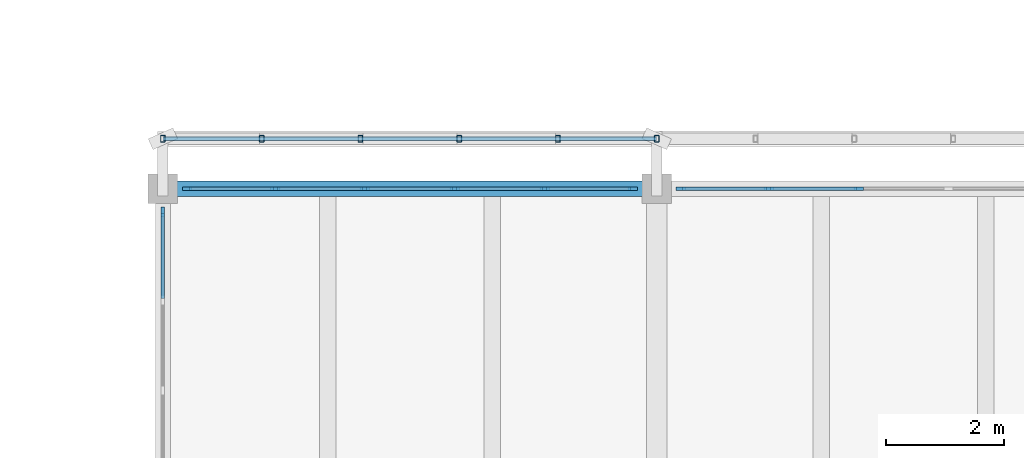
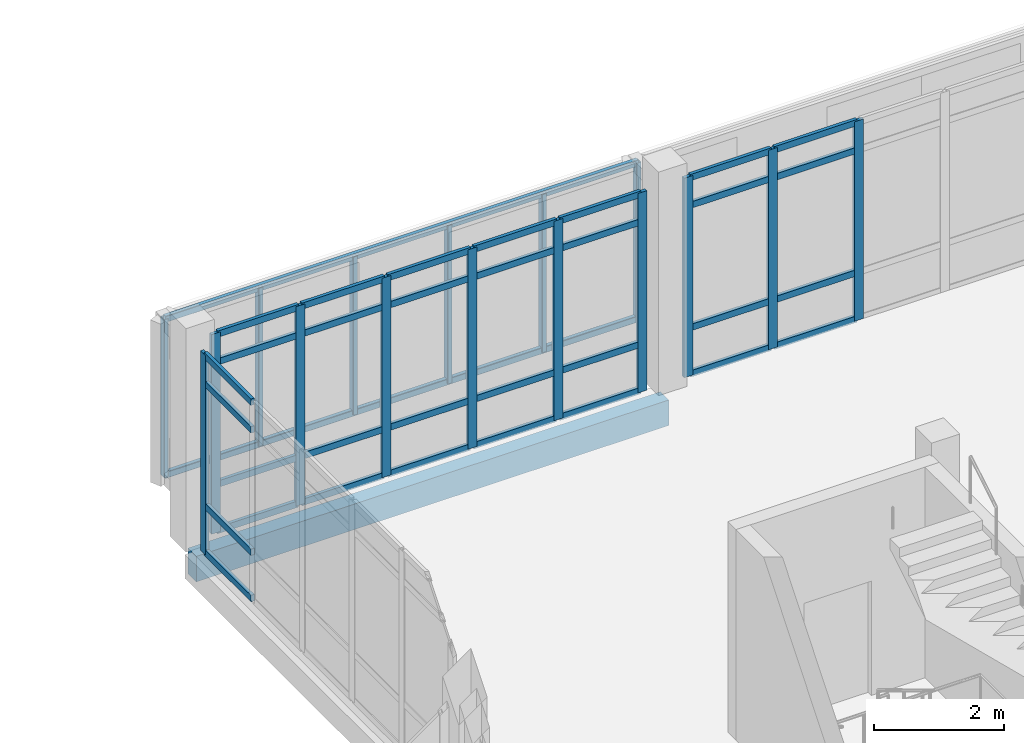
# One storey, part 13 of 137: 50 members, 1 beam, 3 elements without a shape of their own.
"""IFC4 building model written with IfcOpenShell, lengths in metres."""

from ifc_helpers import new_model, si_unit, direction, frame, origin, origin_2d, place, context, subcontext, project, spatial, rectangle, hollow_rectangle, extrude, material, material_profile, profile_set, type_object, element, aggregate, save


model = new_model("IFC4")

# Units and contexts
model_context = context("Model", 3, precision=1e-05, world=origin(), true_north=direction((0.0, 1.0)))
body_context = subcontext(model_context, "Body", "Model", "MODEL_VIEW")
ifc_project = project(units=[si_unit("LENGTHUNIT", "METRE"), si_unit("AREAUNIT", "SQUARE_METRE"), si_unit("VOLUMEUNIT", "CUBIC_METRE"), si_unit("PLANEANGLEUNIT", "RADIAN"), si_unit("MASSUNIT", "GRAM", prefix="KILO")], contexts=[model_context])

# Site, building, storey
site_placement = place(None, origin())
site = spatial("IfcSite", under=ifc_project, at=site_placement, CompositionType="ELEMENT")
building_placement = place(site_placement, origin())
building = spatial("IfcBuilding", under=site, at=building_placement, Name="Cinderway Yard Community Centre", CompositionType="ELEMENT")
storey_placement = place(building_placement, frame((0.0, 0.0, 4.800048828125)))
storey = spatial("IfcBuildingStorey", under=building, at=storey_placement, Name="L01", CompositionType="ELEMENT", Elevation=4.800048828125)

# Curtain wall, members
ifc_material_1 = material(Name="Aluminium 6063-T6", Category="aluminium")
curtain_wall_type_1 = type_object("IfcCurtainWallType", Name="ENV-CW-TYPE-26", PredefinedType="USERDEFINED", material=ifc_material_1)
curtain_wall_1_placement = place(storey_placement, origin())
curtain_wall_1 = element("IfcCurtainWall", 1, at=curtain_wall_1_placement, inside=storey, type_object=curtain_wall_type_1, Name="Dining Courtyard Curtain Wall ENV-CW-L01-ST-0093", ObjectType="GLAZED CURTAIN WALL", PredefinedType="USERDEFINED")
ifc_material_profile_1 = material_profile(ifc_material_1, rectangle(XDim=0.06005859375, YDim=0.159912109375, at=origin_2d()), Name="Aluminium 6063-T6")
ifc_profile_set_1 = profile_set([ifc_material_profile_1], Name="Aluminium 6063-T6")
member_type_1 = type_object("IfcMemberType", Name="ENV-CW-MULL-150", PredefinedType="MULLION", material=ifc_profile_set_1)
member_1_placement = place(storey_placement, frame((58.81005859375, 22.800048828125, 0.0), z_axis=(0.0, 0.0, 1.0), x_axis=(0.0, 1.0, 0.0)))
member_1 = element("IfcMember", 2, at=member_1_placement, type_object=member_type_1, Name="CW-26 mullion 1", PredefinedType="MULLION", context=body_context, shape_type="SweptSolid", body=[
    extrude(rectangle(XDim=0.06005859375, YDim=0.159912109375, at=origin_2d()), origin(), (0.0, 0.0, 1.0), 3.75),
])
member_2_placement = place(storey_placement, frame((60.30810546875, 22.800048828125, 0.0), z_axis=(0.0, 0.0, 1.0), x_axis=(0.0, 1.0, 0.0)))
member_2 = element("IfcMember", 3, at=member_2_placement, type_object=member_type_1, Name="CW-26 mullion 2", PredefinedType="MULLION", context=body_context, shape_type="SweptSolid", body=[
    extrude(rectangle(XDim=0.06005859375, YDim=0.159912109375, at=origin_2d()), origin(), (0.0, 0.0, 1.0), 3.75),
])
member_3_placement = place(storey_placement, frame((61.8359375, 22.800048828125, 0.0), z_axis=(0.0, 0.0, 1.0), x_axis=(0.0, 1.0, 0.0)))
member_3 = element("IfcMember", 4, at=member_3_placement, type_object=member_type_1, Name="CW-26 mullion 3", PredefinedType="MULLION", context=body_context, shape_type="SweptSolid", body=[
    extrude(rectangle(XDim=0.06005859375, YDim=0.159912109375, at=origin_2d()), origin(), (0.0, 0.0, 1.0), 3.75),
])
member_4_placement = place(storey_placement, frame((63.364013671875, 22.800048828125, 0.0), z_axis=(0.0, 0.0, 1.0), x_axis=(0.0, 1.0, 0.0)))
member_4 = element("IfcMember", 5, at=member_4_placement, type_object=member_type_1, Name="CW-26 mullion 4", PredefinedType="MULLION", context=body_context, shape_type="SweptSolid", body=[
    extrude(rectangle(XDim=0.06005859375, YDim=0.159912109375, at=origin_2d()), origin(), (0.0, 0.0, 1.0), 3.75),
])
member_5_placement = place(storey_placement, frame((64.89208984375, 22.800048828125, 0.0), z_axis=(0.0, 0.0, 1.0), x_axis=(0.0, 1.0, 0.0)))
member_5 = element("IfcMember", 6, at=member_5_placement, type_object=member_type_1, Name="CW-26 mullion 5", PredefinedType="MULLION", context=body_context, shape_type="SweptSolid", body=[
    extrude(rectangle(XDim=0.06005859375, YDim=0.159912109375, at=origin_2d()), origin(), (0.0, 0.0, 1.0), 3.75),
])
member_6_placement = place(storey_placement, frame((66.389892578125, 22.800048828125, 0.0), z_axis=(0.0, 0.0, 1.0), x_axis=(0.0, 1.0, 0.0)))
member_6 = element("IfcMember", 7, at=member_6_placement, type_object=member_type_1, Name="CW-26 mullion 6", PredefinedType="MULLION", context=body_context, shape_type="SweptSolid", body=[
    extrude(rectangle(XDim=0.06005859375, YDim=0.159912109375, at=origin_2d()), origin(), (0.0, 0.0, 1.0), 3.75),
])

curtain_wall_2_placement = place(storey_placement, origin())
curtain_wall_2 = element("IfcCurtainWall", 8, at=curtain_wall_2_placement, inside=storey, type_object=curtain_wall_type_1, Name="Dining Courtyard Curtain Wall ENV-CW-L01-ST-0094", ObjectType="GLAZED CURTAIN WALL", PredefinedType="USERDEFINED")
member_7_placement = place(storey_placement, frame((67.2099609375, 22.800048828125, 0.0), z_axis=(0.0, 0.0, 1.0), x_axis=(0.0, 1.0, 0.0)))
member_7 = element("IfcMember", 9, at=member_7_placement, type_object=member_type_1, Name="CW-26 mullion 1", PredefinedType="MULLION", context=body_context, shape_type="SweptSolid", body=[
    extrude(rectangle(XDim=0.06005859375, YDim=0.159912109375, at=origin_2d()), origin(), (0.0, 0.0, 1.0), 3.75),
])
member_8_placement = place(storey_placement, frame((68.7080078125, 22.800048828125, 0.0), z_axis=(0.0, 0.0, 1.0), x_axis=(0.0, 1.0, 0.0)))
member_8 = element("IfcMember", 10, at=member_8_placement, type_object=member_type_1, Name="CW-26 mullion 2", PredefinedType="MULLION", context=body_context, shape_type="SweptSolid", body=[
    extrude(rectangle(XDim=0.06005859375, YDim=0.159912109375, at=origin_2d()), origin(), (0.0, 0.0, 1.0), 3.75),
])
member_9_placement = place(storey_placement, frame((70.236083984375, 22.800048828125, 0.0), z_axis=(0.0, 0.0, 1.0), x_axis=(0.0, 1.0, 0.0)))
member_9 = element("IfcMember", 11, at=member_9_placement, type_object=member_type_1, Name="CW-26 mullion 3", PredefinedType="MULLION", context=body_context, shape_type="SweptSolid", body=[
    extrude(rectangle(XDim=0.06005859375, YDim=0.159912109375, at=origin_2d()), origin(), (0.0, 0.0, 1.0), 3.75),
])

# Curtain wall, member
curtain_wall_type_2 = type_object("IfcCurtainWallType", Name="ENV-CW-TYPE-28", PredefinedType="USERDEFINED", material=ifc_material_1)
curtain_wall_3_placement = place(storey_placement, origin())
curtain_wall_3 = element("IfcCurtainWall", 12, at=curtain_wall_3_placement, inside=storey, type_object=curtain_wall_type_2, Name="V3 West Curtain Wall ENV-CW-L01-ST-0100", ObjectType="GLAZED CURTAIN WALL", PredefinedType="USERDEFINED")
member_10_placement = place(storey_placement, frame((58.39990234375, 22.409912109375, 0.0), z_axis=(0.0, 0.0, 1.0), x_axis=(-1.0, 0.0, 0.0)))
member_10 = element("IfcMember", 13, at=member_10_placement, type_object=member_type_1, Name="CW-28 mullion 6", PredefinedType="MULLION", context=body_context, shape_type="SweptSolid", body=[
    extrude(rectangle(XDim=0.06005859375, YDim=0.159912109375, at=origin_2d()), origin(), (0.0, 0.0, 1.0), 3.75),
])

# Member
ifc_material_profile_2 = material_profile(ifc_material_1, rectangle(XDim=0.06005859375, YDim=0.1201171875, at=origin_2d()), Name="Aluminium 6063-T6")
ifc_profile_set_2 = profile_set([ifc_material_profile_2], Name="Aluminium 6063-T6")
member_type_2 = type_object("IfcMemberType", Name="ENV-CW-TRAN-110", PredefinedType="USERDEFINED", material=ifc_profile_set_2)
member_11_placement = place(storey_placement, frame((58.840087890625, 22.800048828125, 0.030029296875), z_axis=(1.0, 0.0, 0.0), x_axis=(0.0, 1.0, 0.0)))
member_11 = element("IfcMember", 14, at=member_11_placement, type_object=member_type_2, Name="CW-26 transom 1.1", ObjectType="TRANSOM", PredefinedType="USERDEFINED", context=body_context, shape_type="SweptSolid", body=[
    extrude(rectangle(XDim=0.06005859375, YDim=0.1201171875, at=origin_2d()), origin(), (0.0, 0.0, 1.0), 1.43798828125),
])

member_12_placement = place(storey_placement, frame((58.840087890625, 22.800048828125, 0.89990234375), z_axis=(1.0, 0.0, 0.0), x_axis=(0.0, 1.0, 0.0)))
member_12 = element("IfcMember", 15, at=member_12_placement, type_object=member_type_2, Name="CW-26 transom 1.2", ObjectType="TRANSOM", PredefinedType="USERDEFINED", context=body_context, shape_type="SweptSolid", body=[
    extrude(rectangle(XDim=0.06005859375, YDim=0.1201171875, at=origin_2d()), origin(), (0.0, 0.0, 1.0), 1.43798828125),
])

member_13_placement = place(storey_placement, frame((58.840087890625, 22.800048828125, 3.199951171875), z_axis=(1.0, 0.0, 0.0), x_axis=(0.0, 1.0, 0.0)))
member_13 = element("IfcMember", 16, at=member_13_placement, type_object=member_type_2, Name="CW-26 transom 1.3", ObjectType="TRANSOM", PredefinedType="USERDEFINED", context=body_context, shape_type="SweptSolid", body=[
    extrude(rectangle(XDim=0.06005859375, YDim=0.1201171875, at=origin_2d()), origin(), (0.0, 0.0, 1.0), 1.43798828125),
])

member_14_placement = place(storey_placement, frame((58.840087890625, 22.800048828125, 3.719970703125), z_axis=(1.0, 0.0, 0.0), x_axis=(0.0, 1.0, 0.0)))
member_14 = element("IfcMember", 17, at=member_14_placement, type_object=member_type_2, Name="CW-26 transom 1.4", ObjectType="TRANSOM", PredefinedType="USERDEFINED", context=body_context, shape_type="SweptSolid", body=[
    extrude(rectangle(XDim=0.06005859375, YDim=0.1201171875, at=origin_2d()), origin(), (0.0, 0.0, 1.0), 1.43798828125),
])

member_15_placement = place(storey_placement, frame((60.337890625, 22.800048828125, 0.030029296875), z_axis=(1.0, 0.0, 0.0), x_axis=(0.0, 1.0, 0.0)))
member_15 = element("IfcMember", 18, at=member_15_placement, type_object=member_type_2, Name="CW-26 transom 2.1", ObjectType="TRANSOM", PredefinedType="USERDEFINED", context=body_context, shape_type="SweptSolid", body=[
    extrude(rectangle(XDim=0.06005859375, YDim=0.1201171875, at=origin_2d()), origin(), (0.0, 0.0, 1.0), 1.468017578125),
])

member_16_placement = place(storey_placement, frame((60.337890625, 22.800048828125, 0.89990234375), z_axis=(1.0, 0.0, 0.0), x_axis=(0.0, 1.0, 0.0)))
member_16 = element("IfcMember", 19, at=member_16_placement, type_object=member_type_2, Name="CW-26 transom 2.2", ObjectType="TRANSOM", PredefinedType="USERDEFINED", context=body_context, shape_type="SweptSolid", body=[
    extrude(rectangle(XDim=0.06005859375, YDim=0.1201171875, at=origin_2d()), origin(), (0.0, 0.0, 1.0), 1.468017578125),
])

member_17_placement = place(storey_placement, frame((60.337890625, 22.800048828125, 3.199951171875), z_axis=(1.0, 0.0, 0.0), x_axis=(0.0, 1.0, 0.0)))
member_17 = element("IfcMember", 20, at=member_17_placement, type_object=member_type_2, Name="CW-26 transom 2.3", ObjectType="TRANSOM", PredefinedType="USERDEFINED", context=body_context, shape_type="SweptSolid", body=[
    extrude(rectangle(XDim=0.06005859375, YDim=0.1201171875, at=origin_2d()), origin(), (0.0, 0.0, 1.0), 1.468017578125),
])

member_18_placement = place(storey_placement, frame((60.337890625, 22.800048828125, 3.719970703125), z_axis=(1.0, 0.0, 0.0), x_axis=(0.0, 1.0, 0.0)))
member_18 = element("IfcMember", 21, at=member_18_placement, type_object=member_type_2, Name="CW-26 transom 2.4", ObjectType="TRANSOM", PredefinedType="USERDEFINED", context=body_context, shape_type="SweptSolid", body=[
    extrude(rectangle(XDim=0.06005859375, YDim=0.1201171875, at=origin_2d()), origin(), (0.0, 0.0, 1.0), 1.468017578125),
])

member_19_placement = place(storey_placement, frame((61.865966796875, 22.800048828125, 0.030029296875), z_axis=(1.0, 0.0, 0.0), x_axis=(0.0, 1.0, 0.0)))
member_19 = element("IfcMember", 22, at=member_19_placement, type_object=member_type_2, Name="CW-26 transom 3.1", ObjectType="TRANSOM", PredefinedType="USERDEFINED", context=body_context, shape_type="SweptSolid", body=[
    extrude(rectangle(XDim=0.06005859375, YDim=0.1201171875, at=origin_2d()), origin(), (0.0, 0.0, 1.0), 1.468017578125),
])

member_20_placement = place(storey_placement, frame((61.865966796875, 22.800048828125, 0.89990234375), z_axis=(1.0, 0.0, 0.0), x_axis=(0.0, 1.0, 0.0)))
member_20 = element("IfcMember", 23, at=member_20_placement, type_object=member_type_2, Name="CW-26 transom 3.2", ObjectType="TRANSOM", PredefinedType="USERDEFINED", context=body_context, shape_type="SweptSolid", body=[
    extrude(rectangle(XDim=0.06005859375, YDim=0.1201171875, at=origin_2d()), origin(), (0.0, 0.0, 1.0), 1.468017578125),
])

member_21_placement = place(storey_placement, frame((61.865966796875, 22.800048828125, 3.199951171875), z_axis=(1.0, 0.0, 0.0), x_axis=(0.0, 1.0, 0.0)))
member_21 = element("IfcMember", 24, at=member_21_placement, type_object=member_type_2, Name="CW-26 transom 3.3", ObjectType="TRANSOM", PredefinedType="USERDEFINED", context=body_context, shape_type="SweptSolid", body=[
    extrude(rectangle(XDim=0.06005859375, YDim=0.1201171875, at=origin_2d()), origin(), (0.0, 0.0, 1.0), 1.468017578125),
])

member_22_placement = place(storey_placement, frame((61.865966796875, 22.800048828125, 3.719970703125), z_axis=(1.0, 0.0, 0.0), x_axis=(0.0, 1.0, 0.0)))
member_22 = element("IfcMember", 25, at=member_22_placement, type_object=member_type_2, Name="CW-26 transom 3.4", ObjectType="TRANSOM", PredefinedType="USERDEFINED", context=body_context, shape_type="SweptSolid", body=[
    extrude(rectangle(XDim=0.06005859375, YDim=0.1201171875, at=origin_2d()), origin(), (0.0, 0.0, 1.0), 1.468017578125),
])

member_23_placement = place(storey_placement, frame((63.39404296875, 22.800048828125, 0.030029296875), z_axis=(1.0, 0.0, 0.0), x_axis=(0.0, 1.0, 0.0)))
member_23 = element("IfcMember", 26, at=member_23_placement, type_object=member_type_2, Name="CW-26 transom 4.1", ObjectType="TRANSOM", PredefinedType="USERDEFINED", context=body_context, shape_type="SweptSolid", body=[
    extrude(rectangle(XDim=0.06005859375, YDim=0.1201171875, at=origin_2d()), origin(), (0.0, 0.0, 1.0), 1.468017578125),
])

member_24_placement = place(storey_placement, frame((63.39404296875, 22.800048828125, 0.89990234375), z_axis=(1.0, 0.0, 0.0), x_axis=(0.0, 1.0, 0.0)))
member_24 = element("IfcMember", 27, at=member_24_placement, type_object=member_type_2, Name="CW-26 transom 4.2", ObjectType="TRANSOM", PredefinedType="USERDEFINED", context=body_context, shape_type="SweptSolid", body=[
    extrude(rectangle(XDim=0.06005859375, YDim=0.1201171875, at=origin_2d()), origin(), (0.0, 0.0, 1.0), 1.468017578125),
])

member_25_placement = place(storey_placement, frame((63.39404296875, 22.800048828125, 3.199951171875), z_axis=(1.0, 0.0, 0.0), x_axis=(0.0, 1.0, 0.0)))
member_25 = element("IfcMember", 28, at=member_25_placement, type_object=member_type_2, Name="CW-26 transom 4.3", ObjectType="TRANSOM", PredefinedType="USERDEFINED", context=body_context, shape_type="SweptSolid", body=[
    extrude(rectangle(XDim=0.06005859375, YDim=0.1201171875, at=origin_2d()), origin(), (0.0, 0.0, 1.0), 1.468017578125),
])

member_26_placement = place(storey_placement, frame((63.39404296875, 22.800048828125, 3.719970703125), z_axis=(1.0, 0.0, 0.0), x_axis=(0.0, 1.0, 0.0)))
member_26 = element("IfcMember", 29, at=member_26_placement, type_object=member_type_2, Name="CW-26 transom 4.4", ObjectType="TRANSOM", PredefinedType="USERDEFINED", context=body_context, shape_type="SweptSolid", body=[
    extrude(rectangle(XDim=0.06005859375, YDim=0.1201171875, at=origin_2d()), origin(), (0.0, 0.0, 1.0), 1.468017578125),
])

member_27_placement = place(storey_placement, frame((64.922119140625, 22.800048828125, 0.030029296875), z_axis=(1.0, 0.0, 0.0), x_axis=(0.0, 1.0, 0.0)))
member_27 = element("IfcMember", 30, at=member_27_placement, type_object=member_type_2, Name="CW-26 transom 5.1", ObjectType="TRANSOM", PredefinedType="USERDEFINED", context=body_context, shape_type="SweptSolid", body=[
    extrude(rectangle(XDim=0.06005859375, YDim=0.1201171875, at=origin_2d()), origin(), (0.0, 0.0, 1.0), 1.43798828125),
])

member_28_placement = place(storey_placement, frame((64.922119140625, 22.800048828125, 0.89990234375), z_axis=(1.0, 0.0, 0.0), x_axis=(0.0, 1.0, 0.0)))
member_28 = element("IfcMember", 31, at=member_28_placement, type_object=member_type_2, Name="CW-26 transom 5.2", ObjectType="TRANSOM", PredefinedType="USERDEFINED", context=body_context, shape_type="SweptSolid", body=[
    extrude(rectangle(XDim=0.06005859375, YDim=0.1201171875, at=origin_2d()), origin(), (0.0, 0.0, 1.0), 1.43798828125),
])

member_29_placement = place(storey_placement, frame((64.922119140625, 22.800048828125, 3.199951171875), z_axis=(1.0, 0.0, 0.0), x_axis=(0.0, 1.0, 0.0)))
member_29 = element("IfcMember", 32, at=member_29_placement, type_object=member_type_2, Name="CW-26 transom 5.3", ObjectType="TRANSOM", PredefinedType="USERDEFINED", context=body_context, shape_type="SweptSolid", body=[
    extrude(rectangle(XDim=0.06005859375, YDim=0.1201171875, at=origin_2d()), origin(), (0.0, 0.0, 1.0), 1.43798828125),
])

member_30_placement = place(storey_placement, frame((64.922119140625, 22.800048828125, 3.719970703125), z_axis=(1.0, 0.0, 0.0), x_axis=(0.0, 1.0, 0.0)))
member_30 = element("IfcMember", 33, at=member_30_placement, type_object=member_type_2, Name="CW-26 transom 5.4", ObjectType="TRANSOM", PredefinedType="USERDEFINED", context=body_context, shape_type="SweptSolid", body=[
    extrude(rectangle(XDim=0.06005859375, YDim=0.1201171875, at=origin_2d()), origin(), (0.0, 0.0, 1.0), 1.43798828125),
])

aggregate(curtain_wall_1, [member_1, member_2, member_3, member_4, member_5, member_6, member_11, member_12, member_13, member_14, member_15, member_16, member_17, member_18, member_19, member_20, member_21, member_22, member_23, member_24, member_25, member_26, member_27, member_28, member_29, member_30])

member_31_placement = place(storey_placement, frame((67.239990234375, 22.800048828125, 0.030029296875), z_axis=(1.0, 0.0, 0.0), x_axis=(0.0, 1.0, 0.0)))
member_31 = element("IfcMember", 34, at=member_31_placement, type_object=member_type_2, Name="CW-26 transom 1.1", ObjectType="TRANSOM", PredefinedType="USERDEFINED", context=body_context, shape_type="SweptSolid", body=[
    extrude(rectangle(XDim=0.06005859375, YDim=0.1201171875, at=origin_2d()), origin(), (0.0, 0.0, 1.0), 1.43798828125),
])

member_32_placement = place(storey_placement, frame((67.239990234375, 22.800048828125, 0.89990234375), z_axis=(1.0, 0.0, 0.0), x_axis=(0.0, 1.0, 0.0)))
member_32 = element("IfcMember", 35, at=member_32_placement, type_object=member_type_2, Name="CW-26 transom 1.2", ObjectType="TRANSOM", PredefinedType="USERDEFINED", context=body_context, shape_type="SweptSolid", body=[
    extrude(rectangle(XDim=0.06005859375, YDim=0.1201171875, at=origin_2d()), origin(), (0.0, 0.0, 1.0), 1.43798828125),
])

member_33_placement = place(storey_placement, frame((67.239990234375, 22.800048828125, 3.199951171875), z_axis=(1.0, 0.0, 0.0), x_axis=(0.0, 1.0, 0.0)))
member_33 = element("IfcMember", 36, at=member_33_placement, type_object=member_type_2, Name="CW-26 transom 1.3", ObjectType="TRANSOM", PredefinedType="USERDEFINED", context=body_context, shape_type="SweptSolid", body=[
    extrude(rectangle(XDim=0.06005859375, YDim=0.1201171875, at=origin_2d()), origin(), (0.0, 0.0, 1.0), 1.43798828125),
])

member_34_placement = place(storey_placement, frame((67.239990234375, 22.800048828125, 3.719970703125), z_axis=(1.0, 0.0, 0.0), x_axis=(0.0, 1.0, 0.0)))
member_34 = element("IfcMember", 37, at=member_34_placement, type_object=member_type_2, Name="CW-26 transom 1.4", ObjectType="TRANSOM", PredefinedType="USERDEFINED", context=body_context, shape_type="SweptSolid", body=[
    extrude(rectangle(XDim=0.06005859375, YDim=0.1201171875, at=origin_2d()), origin(), (0.0, 0.0, 1.0), 1.43798828125),
])

member_35_placement = place(storey_placement, frame((68.738037109375, 22.800048828125, 0.030029296875), z_axis=(1.0, 0.0, 0.0), x_axis=(0.0, 1.0, 0.0)))
member_35 = element("IfcMember", 38, at=member_35_placement, type_object=member_type_2, Name="CW-26 transom 2.1", ObjectType="TRANSOM", PredefinedType="USERDEFINED", context=body_context, shape_type="SweptSolid", body=[
    extrude(rectangle(XDim=0.06005859375, YDim=0.1201171875, at=origin_2d()), origin(), (0.0, 0.0, 1.0), 1.468017578125),
])

member_36_placement = place(storey_placement, frame((68.738037109375, 22.800048828125, 0.89990234375), z_axis=(1.0, 0.0, 0.0), x_axis=(0.0, 1.0, 0.0)))
member_36 = element("IfcMember", 39, at=member_36_placement, type_object=member_type_2, Name="CW-26 transom 2.2", ObjectType="TRANSOM", PredefinedType="USERDEFINED", context=body_context, shape_type="SweptSolid", body=[
    extrude(rectangle(XDim=0.06005859375, YDim=0.1201171875, at=origin_2d()), origin(), (0.0, 0.0, 1.0), 1.468017578125),
])

member_37_placement = place(storey_placement, frame((68.738037109375, 22.800048828125, 3.199951171875), z_axis=(1.0, 0.0, 0.0), x_axis=(0.0, 1.0, 0.0)))
member_37 = element("IfcMember", 40, at=member_37_placement, type_object=member_type_2, Name="CW-26 transom 2.3", ObjectType="TRANSOM", PredefinedType="USERDEFINED", context=body_context, shape_type="SweptSolid", body=[
    extrude(rectangle(XDim=0.06005859375, YDim=0.1201171875, at=origin_2d()), origin(), (0.0, 0.0, 1.0), 1.468017578125),
])

member_38_placement = place(storey_placement, frame((68.738037109375, 22.800048828125, 3.719970703125), z_axis=(1.0, 0.0, 0.0), x_axis=(0.0, 1.0, 0.0)))
member_38 = element("IfcMember", 41, at=member_38_placement, type_object=member_type_2, Name="CW-26 transom 2.4", ObjectType="TRANSOM", PredefinedType="USERDEFINED", context=body_context, shape_type="SweptSolid", body=[
    extrude(rectangle(XDim=0.06005859375, YDim=0.1201171875, at=origin_2d()), origin(), (0.0, 0.0, 1.0), 1.468017578125),
])

aggregate(curtain_wall_2, [member_7, member_8, member_9, member_31, member_32, member_33, member_34, member_35, member_36, member_37, member_38])

member_39_placement = place(storey_placement, frame((58.39990234375, 20.93408203125, 0.030029296875), z_axis=(0.0, 1.0, 0.0), x_axis=(-1.0, 0.0, 0.0)))
member_39 = element("IfcMember", 42, at=member_39_placement, type_object=member_type_2, Name="CW-28 transom 5.1", ObjectType="TRANSOM", PredefinedType="USERDEFINED", context=body_context, shape_type="SweptSolid", body=[
    extrude(rectangle(XDim=0.06005859375, YDim=0.1201171875, at=origin_2d()), origin(), (0.0, 0.0, 1.0), 1.44580078125),
])

member_40_placement = place(storey_placement, frame((58.39990234375, 20.93408203125, 0.89990234375), z_axis=(0.0, 1.0, 0.0), x_axis=(-1.0, 0.0, 0.0)))
member_40 = element("IfcMember", 43, at=member_40_placement, type_object=member_type_2, Name="CW-28 transom 5.2", ObjectType="TRANSOM", PredefinedType="USERDEFINED", context=body_context, shape_type="SweptSolid", body=[
    extrude(rectangle(XDim=0.06005859375, YDim=0.1201171875, at=origin_2d()), origin(), (0.0, 0.0, 1.0), 1.44580078125),
])

member_41_placement = place(storey_placement, frame((58.39990234375, 20.93408203125, 3.199951171875), z_axis=(0.0, 1.0, 0.0), x_axis=(-1.0, 0.0, 0.0)))
member_41 = element("IfcMember", 44, at=member_41_placement, type_object=member_type_2, Name="CW-28 transom 5.3", ObjectType="TRANSOM", PredefinedType="USERDEFINED", context=body_context, shape_type="SweptSolid", body=[
    extrude(rectangle(XDim=0.06005859375, YDim=0.1201171875, at=origin_2d()), origin(), (0.0, 0.0, 1.0), 1.44580078125),
])

member_42_placement = place(storey_placement, frame((58.39990234375, 20.93408203125, 3.719970703125), z_axis=(0.0, 1.0, 0.0), x_axis=(-1.0, 0.0, 0.0)))
member_42 = element("IfcMember", 45, at=member_42_placement, type_object=member_type_2, Name="CW-28 transom 5.4", ObjectType="TRANSOM", PredefinedType="USERDEFINED", context=body_context, shape_type="SweptSolid", body=[
    extrude(rectangle(XDim=0.06005859375, YDim=0.1201171875, at=origin_2d()), origin(), (0.0, 0.0, 1.0), 1.44580078125),
])

aggregate(curtain_wall_3, [member_10, member_39, member_40, member_41, member_42])

# Members
ifc_material_2 = material(Name="Steel S355", Category="steel")
ifc_material_profile_3 = material_profile(ifc_material_2, hollow_rectangle(XDim=0.080078125, YDim=0.1201171875, WallThickness=0.00634765625, InnerFilletRadius=0.00634765625, OuterFilletRadius=0.0126953125, at=origin_2d()), Name="Steel S355")
ifc_profile_set_3 = profile_set([ifc_material_profile_3], Name="Steel S355")
member_type_3 = type_object("IfcMemberType", Name="ENV-MEM-SCREEN-RAIL-120", PredefinedType="STRINGER", material=ifc_profile_set_3)
for number, where, z_axis, x_axis, name in (
    (46, (58.39990234375, 23.64990234375, 0.7099609375), (1.0, 0.0, 0.0), (0.0, 1.0, 0.0), "Screen support rail 0593-BOT"),
    (47, (58.39990234375, 23.64990234375, 3.639892578125), (1.0, 0.0, 0.0), (0.0, 1.0, 0.0), "Screen support rail 0594-TOP"),
):
    element("IfcMember", number, at=place(storey_placement, frame(where, z_axis=z_axis, x_axis=x_axis)), inside=storey, type_object=member_type_3, Name=name, PredefinedType="STRINGER", context=body_context, shape_type="SweptSolid", body=[
        extrude(hollow_rectangle(XDim=0.080078125, YDim=0.1201171875, WallThickness=0.00634765625, InnerFilletRadius=0.00634765625, OuterFilletRadius=0.0126953125, at=origin_2d()), origin(), (0.0, 0.0, 1.0), 8.400146484375),
    ])
for number, where, z_axis, x_axis, name in (
    (48, (58.39990234375, 23.64990234375, 0.68994140625), (0.0, 0.0, 1.0), (1.0, 0.0, 0.0), "Screen vertical mullion 0595"),
    (49, (60.080078125, 23.64990234375, 0.68994140625), (0.0, 0.0, 1.0), (1.0, 0.0, 0.0), "Screen vertical mullion 0596"),
    (50, (61.760009765625, 23.64990234375, 0.68994140625), (0.0, 0.0, 1.0), (1.0, 0.0, 0.0), "Screen vertical mullion 0597"),
    (51, (63.43994140625, 23.64990234375, 0.68994140625), (0.0, 0.0, 1.0), (1.0, 0.0, 0.0), "Screen vertical mullion 0598"),
    (52, (65.1201171875, 23.64990234375, 0.68994140625), (0.0, 0.0, 1.0), (1.0, 0.0, 0.0), "Screen vertical mullion 0599"),
    (53, (66.800048828125, 23.64990234375, 0.68994140625), (0.0, 0.0, 1.0), (1.0, 0.0, 0.0), "Screen vertical mullion 0600"),
):
    element("IfcMember", number, at=place(storey_placement, frame(where, z_axis=z_axis, x_axis=x_axis)), inside=storey, type_object=member_type_3, Name=name, PredefinedType="STRINGER", context=body_context, shape_type="SweptSolid", body=[
        extrude(hollow_rectangle(XDim=0.080078125, YDim=0.1201171875, WallThickness=0.00634765625, InnerFilletRadius=0.00634765625, OuterFilletRadius=0.0126953125, at=origin_2d()), origin(), (0.0, 0.0, 1.0), 2.969970703125),
    ])

# Beam
ifc_material_3 = material(Name="Concrete C40/50", Category="concrete")
ifc_material_profile_4 = material_profile(ifc_material_3, rectangle(XDim=0.260009765625, YDim=0.47998046875, at=origin_2d()), Name="Concrete C40/50")
ifc_profile_set_4 = profile_set([ifc_material_profile_4], Name="Concrete C40/50")
beam_type = type_object("IfcBeamType", Name="STR-BM-RC260X480", PredefinedType="SPANDREL", material=ifc_profile_set_4)
beam_placement = place(storey_placement, frame((58.39990234375, 22.800048828125, -0.47998046875), z_axis=(1.0, 0.0, 0.0), x_axis=(0.0, 1.0, 0.0)))
element("IfcBeam", 54, at=beam_placement, inside=storey, type_object=beam_type, Name="Primary girder STR-BM-L01-SP01-0125", PredefinedType="SPANDREL", context=body_context, shape_type="SweptSolid", body=[
    extrude(rectangle(XDim=0.260009765625, YDim=0.47998046875, at=origin_2d()), origin(), (0.0, 0.0, 1.0), 8.400146484375),
])

save(model, "model.ifc")
